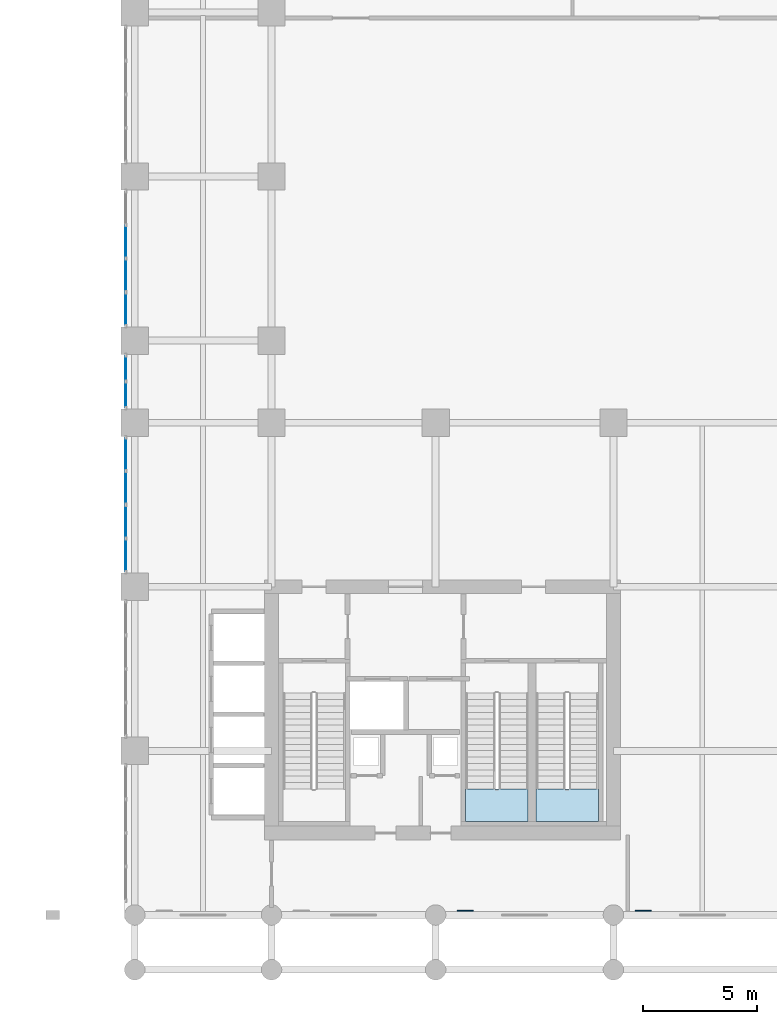
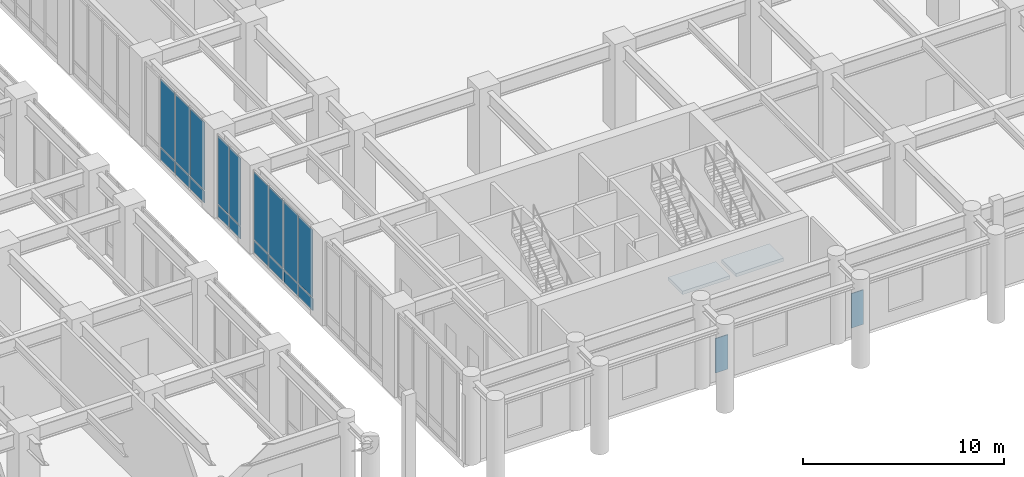
# One storey, part 11 of 23: 20 plates, 2 slabs, 5 elements without a shape of their own.
"""IFC4 building model written with IfcOpenShell, lengths in metres."""

from ifc_helpers import new_model, si_unit, derived_unit, direction, frame, origin, origin_2d, place, context, subcontext, project, spatial, polyline, rectangle, outline, extrude, source, transform, mapped, material, layer, layer_set, type_object, type_shapes, element, aggregate, save


model = new_model("IFC4")

# Units and contexts
model_context = context("Model", 3, precision=1e-05, world=origin(), true_north=direction((0.0, 1.0)))
body_context = subcontext(model_context, "Body", "Model", "MODEL_VIEW")
ifc_project = project(units=[si_unit("LENGTHUNIT", "METRE"), si_unit("AREAUNIT", "SQUARE_METRE"), si_unit("VOLUMEUNIT", "CUBIC_METRE"), si_unit("PLANEANGLEUNIT", "RADIAN"), si_unit("MASSUNIT", "GRAM", prefix="KILO"), si_unit("THERMODYNAMICTEMPERATUREUNIT", "KELVIN"), si_unit("POWERUNIT", "WATT"), derived_unit("THERMALTRANSMITTANCEUNIT", [(si_unit("POWERUNIT", "WATT"), 1), (si_unit("AREAUNIT", "SQUARE_METRE"), -1), (si_unit("THERMODYNAMICTEMPERATUREUNIT", "KELVIN"), -1)])], contexts=[model_context])

# Site, building, storey
site_placement = place(None, origin())
site = spatial("IfcSite", under=ifc_project, at=site_placement, CompositionType="ELEMENT")
building_placement = place(site_placement, origin())
building = spatial("IfcBuilding", under=site, at=building_placement, Name="Zahravan Archway Hotel and Residences", CompositionType="ELEMENT")
storey_placement = place(building_placement, frame((0.0, 0.0, 5.39990234375)))
storey = spatial("IfcBuildingStorey", under=building, at=storey_placement, Name="L01", CompositionType="ELEMENT", Elevation=5.39990234375)

# Stair, slab
ifc_material_1 = material(Name="Concrete C50/60", Category="concrete")
stair_type = type_object("IfcStairType", Name="STR-CORE-1300", PredefinedType="HALF_TURN_STAIR", material=ifc_material_1)
stair_1_placement = place(storey_placement, origin())
stair_1 = element("IfcStair", 1, at=stair_1_placement, inside=storey, type_object=stair_type, Name="L01 Core A Exit Stair 2", PredefinedType="HALF_TURN_STAIR")
ifc_layer_1 = layer(ifc_material_1, 0.199951171875, Name="Concrete C50/60", Category="concrete")
ifc_layer_set_1 = layer_set([ifc_layer_1], Name="Concrete C50/60")
slab_type = type_object("IfcSlabType", Name="SLB-LND-200", PredefinedType="LANDING", material=ifc_layer_set_1)
slab_1_placement = place(storey_placement, frame((0.0, 0.0, 2.5)))
slab_1 = element("IfcSlab", 2, at=slab_1_placement, type_object=slab_type, Name="ST-A2 landing 1", PredefinedType="LANDING", context=body_context, shape_type="SweptSolid", body=[
    extrude(outline(polyline([(43.320068359375, 5.530029296875), (43.320068359375, 4.10009765625), (46.06005859375, 4.10009765625), (46.06005859375, 5.530029296875), (43.320068359375, 5.530029296875)])), origin(), (0.0, 0.0, 1.0), 0.2001953125),
])
aggregate(stair_1, [slab_1])

stair_2_placement = place(storey_placement, origin())
stair_2 = element("IfcStair", 3, at=stair_2_placement, inside=storey, type_object=stair_type, Name="L01 Core A Exit Stair 3", PredefinedType="HALF_TURN_STAIR")
slab_2_placement = place(storey_placement, frame((0.0, 0.0, 2.5)))
slab_2 = element("IfcSlab", 4, at=slab_2_placement, type_object=slab_type, Name="ST-A3 landing 1", PredefinedType="LANDING", context=body_context, shape_type="SweptSolid", body=[
    extrude(outline(polyline([(46.39990234375, 5.530029296875), (46.39990234375, 4.10009765625), (49.139892578125, 4.10009765625), (49.139892578125, 5.530029296875), (46.39990234375, 5.530029296875)])), origin(), (0.0, 0.0, 1.0), 0.2001953125),
])
aggregate(stair_2, [slab_2])

# Curtain wall, plates
ifc_material_2 = material(Name="Bronze-Anodized Unitised Aluminium & Low-E Glass", Category="aluminium")
ifc_layer_2 = layer(ifc_material_2, 0.179931640625, Name="Bronze-Anodized Unitised Aluminium & Low-E Glass", Category="aluminium")
ifc_layer_set_2 = layer_set([ifc_layer_2], Name="Bronze-Anodized Unitised Aluminium & Low-E Glass")
curtain_wall_type = type_object("IfcCurtainWallType", Name="CW-POD-ARCH", PredefinedType="NOTDEFINED", material=ifc_layer_set_2)
curtain_wall_1_placement = place(storey_placement, origin())
curtain_wall_1 = element("IfcCurtainWall", 5, at=curtain_wall_1_placement, inside=storey, type_object=curtain_wall_type, Name="L01 Curtain Wall CW-PORTE-L01-3", PredefinedType="NOTDEFINED")
ifc_material_3 = material(Name="Insulated Terracotta Spandrel Panel", Category="masonry")
ifc_layer_3 = layer(ifc_material_3, 0.0400390625, Name="Insulated Terracotta Spandrel Panel", Category="masonry")
ifc_layer_set_3 = layer_set([ifc_layer_3], Name="Insulated Terracotta Spandrel Panel")
plate_type_1 = type_object("IfcPlateType", Name="CWP-SPN-40", PredefinedType="SHEET", material=ifc_layer_set_3)
shared_shape_1 = source(origin(), body_context, "Body", "SweptSolid", [
    extrude(rectangle(XDim=1.3974609375, YDim=0.0400390625, at=origin_2d()), origin(), (0.0, 0.0, 1.0), 0.7099609375),
])
plate_1_placement = place(storey_placement, frame((28.39990234375, 15.783935546875, 0.10009765625), z_axis=(0.0, 0.0, 1.0), x_axis=(0.0, 1.0, 0.0)))
plate_1 = element("IfcPlate", 6, at=plate_1_placement, type_object=plate_type_1, Name="CW-PORTE-L01-3 Spandrel Panel 0", PredefinedType="SHEET", context=body_context, shape_type="MappedRepresentation", body=[
    mapped(shared_shape_1, transform((0.0, 0.0, 0.0), scale=1.0)),
])
plate_2_placement = place(storey_placement, frame((28.39990234375, 17.26123046875, 0.10009765625), z_axis=(0.0, 0.0, 1.0), x_axis=(0.0, 1.0, 0.0)))
plate_2 = element("IfcPlate", 7, at=plate_2_placement, type_object=plate_type_1, Name="CW-PORTE-L01-3 Spandrel Panel 1", PredefinedType="SHEET", context=body_context, shape_type="MappedRepresentation", body=[
    mapped(shared_shape_1, transform((0.0, 0.0, 0.0), scale=1.0)),
])
plate_3_placement = place(storey_placement, frame((28.39990234375, 18.73876953125, 0.10009765625), z_axis=(0.0, 0.0, 1.0), x_axis=(0.0, 1.0, 0.0)))
plate_3 = element("IfcPlate", 8, at=plate_3_placement, type_object=plate_type_1, Name="CW-PORTE-L01-3 Spandrel Panel 2", PredefinedType="SHEET", context=body_context, shape_type="MappedRepresentation", body=[
    mapped(shared_shape_1, transform((0.0, 0.0, 0.0), scale=1.0)),
])
plate_4_placement = place(storey_placement, frame((28.39990234375, 20.216064453125, 0.10009765625), z_axis=(0.0, 0.0, 1.0), x_axis=(0.0, 1.0, 0.0)))
plate_4 = element("IfcPlate", 9, at=plate_4_placement, type_object=plate_type_1, Name="CW-PORTE-L01-3 Spandrel Panel 3", PredefinedType="SHEET", context=body_context, shape_type="MappedRepresentation", body=[
    mapped(shared_shape_1, transform((0.0, 0.0, 0.0), scale=1.0)),
])

curtain_wall_2_placement = place(storey_placement, origin())
curtain_wall_2 = element("IfcCurtainWall", 10, at=curtain_wall_2_placement, inside=storey, type_object=curtain_wall_type, Name="L01 Curtain Wall CW-PORTE-L01-5", PredefinedType="NOTDEFINED")
plate_5_placement = place(storey_placement, frame((28.39990234375, 26.583984375, 0.10009765625), z_axis=(0.0, 0.0, 1.0), x_axis=(0.0, 1.0, 0.0)))
plate_5 = element("IfcPlate", 11, at=plate_5_placement, type_object=plate_type_1, Name="CW-PORTE-L01-5 Spandrel Panel 0", PredefinedType="SHEET", context=body_context, shape_type="MappedRepresentation", body=[
    mapped(shared_shape_1, transform((0.0, 0.0, 0.0), scale=1.0)),
])
plate_6_placement = place(storey_placement, frame((28.39990234375, 28.061279296875, 0.10009765625), z_axis=(0.0, 0.0, 1.0), x_axis=(0.0, 1.0, 0.0)))
plate_6 = element("IfcPlate", 12, at=plate_6_placement, type_object=plate_type_1, Name="CW-PORTE-L01-5 Spandrel Panel 1", PredefinedType="SHEET", context=body_context, shape_type="MappedRepresentation", body=[
    mapped(shared_shape_1, transform((0.0, 0.0, 0.0), scale=1.0)),
])
plate_7_placement = place(storey_placement, frame((28.39990234375, 29.538818359375, 0.10009765625), z_axis=(0.0, 0.0, 1.0), x_axis=(0.0, 1.0, 0.0)))
plate_7 = element("IfcPlate", 13, at=plate_7_placement, type_object=plate_type_1, Name="CW-PORTE-L01-5 Spandrel Panel 2", PredefinedType="SHEET", context=body_context, shape_type="MappedRepresentation", body=[
    mapped(shared_shape_1, transform((0.0, 0.0, 0.0), scale=1.0)),
])

# Plate
ifc_material_4 = material(Name="Double-Silver Low-E Insulated Vision Glass", Category="glass")
ifc_layer_4 = layer(ifc_material_4, 0.028076171875, Name="Double-Silver Low-E Insulated Vision Glass", Category="glass")
ifc_layer_set_4 = layer_set([ifc_layer_4], Name="Double-Silver Low-E Insulated Vision Glass")
plate_type_2 = type_object("IfcPlateType", Name="CWP-GLZ-28", PredefinedType="CURTAIN_PANEL", material=ifc_layer_set_4)
shared_shape_2 = source(origin(), body_context, "Body", "SweptSolid", [
    extrude(rectangle(XDim=1.3974609375, YDim=0.028076171875, at=origin_2d()), origin(), (0.0, 0.0, 1.0), 4.110107421875),
])
plate_8_placement = place(storey_placement, frame((28.39990234375, 15.783935546875, 0.89013671875), z_axis=(0.0, 0.0, 1.0), x_axis=(0.0, 1.0, 0.0)))
plate_8 = element("IfcPlate", 14, at=plate_8_placement, type_object=plate_type_2, Name="CW-PORTE-L01-3 Low-E Vision Panel 0", PredefinedType="CURTAIN_PANEL", context=body_context, shape_type="MappedRepresentation", body=[
    mapped(shared_shape_2, transform((0.0, 0.0, 0.0), scale=1.0)),
])

plate_9_placement = place(storey_placement, frame((28.39990234375, 17.26123046875, 0.89013671875), z_axis=(0.0, 0.0, 1.0), x_axis=(0.0, 1.0, 0.0)))
plate_9 = element("IfcPlate", 15, at=plate_9_placement, type_object=plate_type_2, Name="CW-PORTE-L01-3 Low-E Vision Panel 1", PredefinedType="CURTAIN_PANEL", context=body_context, shape_type="MappedRepresentation", body=[
    mapped(shared_shape_2, transform((0.0, 0.0, 0.0), scale=1.0)),
])

plate_10_placement = place(storey_placement, frame((28.39990234375, 18.73876953125, 0.89013671875), z_axis=(0.0, 0.0, 1.0), x_axis=(0.0, 1.0, 0.0)))
plate_10 = element("IfcPlate", 16, at=plate_10_placement, type_object=plate_type_2, Name="CW-PORTE-L01-3 Low-E Vision Panel 2", PredefinedType="CURTAIN_PANEL", context=body_context, shape_type="MappedRepresentation", body=[
    mapped(shared_shape_2, transform((0.0, 0.0, 0.0), scale=1.0)),
])

plate_11_placement = place(storey_placement, frame((28.39990234375, 20.216064453125, 0.89013671875), z_axis=(0.0, 0.0, 1.0), x_axis=(0.0, 1.0, 0.0)))
plate_11 = element("IfcPlate", 17, at=plate_11_placement, type_object=plate_type_2, Name="CW-PORTE-L01-3 Low-E Vision Panel 3", PredefinedType="CURTAIN_PANEL", context=body_context, shape_type="MappedRepresentation", body=[
    mapped(shared_shape_2, transform((0.0, 0.0, 0.0), scale=1.0)),
])

aggregate(curtain_wall_1, [plate_1, plate_8, plate_2, plate_9, plate_3, plate_10, plate_4, plate_11])

plate_12_placement = place(storey_placement, frame((28.39990234375, 26.583984375, 0.89013671875), z_axis=(0.0, 0.0, 1.0), x_axis=(0.0, 1.0, 0.0)))
plate_12 = element("IfcPlate", 18, at=plate_12_placement, type_object=plate_type_2, Name="CW-PORTE-L01-5 Low-E Vision Panel 0", PredefinedType="CURTAIN_PANEL", context=body_context, shape_type="MappedRepresentation", body=[
    mapped(shared_shape_2, transform((0.0, 0.0, 0.0), scale=1.0)),
])

plate_13_placement = place(storey_placement, frame((28.39990234375, 28.061279296875, 0.89013671875), z_axis=(0.0, 0.0, 1.0), x_axis=(0.0, 1.0, 0.0)))
plate_13 = element("IfcPlate", 19, at=plate_13_placement, type_object=plate_type_2, Name="CW-PORTE-L01-5 Low-E Vision Panel 1", PredefinedType="CURTAIN_PANEL", context=body_context, shape_type="MappedRepresentation", body=[
    mapped(shared_shape_2, transform((0.0, 0.0, 0.0), scale=1.0)),
])

plate_14_placement = place(storey_placement, frame((28.39990234375, 29.538818359375, 0.89013671875), z_axis=(0.0, 0.0, 1.0), x_axis=(0.0, 1.0, 0.0)))
plate_14 = element("IfcPlate", 20, at=plate_14_placement, type_object=plate_type_2, Name="CW-PORTE-L01-5 Low-E Vision Panel 2", PredefinedType="CURTAIN_PANEL", context=body_context, shape_type="MappedRepresentation", body=[
    mapped(shared_shape_2, transform((0.0, 0.0, 0.0), scale=1.0)),
])

aggregate(curtain_wall_2, [plate_5, plate_12, plate_6, plate_13, plate_7, plate_14])

# Curtain wall, plates
curtain_wall_3_placement = place(storey_placement, origin())
curtain_wall_3 = element("IfcCurtainWall", 21, at=curtain_wall_3_placement, inside=storey, type_object=curtain_wall_type, Name="L01 Curtain Wall CW-PORTE-L01-4", PredefinedType="NOTDEFINED")
shared_shape_3 = source(origin(), body_context, "Body", "SweptSolid", [
    extrude(rectangle(XDim=1.07470703125, YDim=0.0400390625, at=origin_2d()), origin(), (0.0, 0.0, 1.0), 0.7099609375),
])
plate_15_placement = place(storey_placement, frame((28.39990234375, 22.822509765625, 0.10009765625), z_axis=(0.0, 0.0, 1.0), x_axis=(0.0, 1.0, 0.0)))
plate_15 = element("IfcPlate", 22, at=plate_15_placement, type_object=plate_type_1, Name="CW-PORTE-L01-4 Spandrel Panel 0", PredefinedType="SHEET", context=body_context, shape_type="MappedRepresentation", body=[
    mapped(shared_shape_3, transform((0.0, 0.0, 0.0), scale=1.0)),
])
plate_16_placement = place(storey_placement, frame((28.39990234375, 23.977294921875, 0.10009765625), z_axis=(0.0, 0.0, 1.0), x_axis=(0.0, 1.0, 0.0)))
plate_16 = element("IfcPlate", 23, at=plate_16_placement, type_object=plate_type_1, Name="CW-PORTE-L01-4 Spandrel Panel 1", PredefinedType="SHEET", context=body_context, shape_type="MappedRepresentation", body=[
    mapped(shared_shape_3, transform((0.0, 0.0, 0.0), scale=1.0)),
])
shared_shape_4 = source(origin(), body_context, "Body", "SweptSolid", [
    extrude(rectangle(XDim=1.07470703125, YDim=0.028076171875, at=origin_2d()), origin(), (0.0, 0.0, 1.0), 4.110107421875),
])
plate_17_placement = place(storey_placement, frame((28.39990234375, 22.822509765625, 0.89013671875), z_axis=(0.0, 0.0, 1.0), x_axis=(0.0, 1.0, 0.0)))
plate_17 = element("IfcPlate", 24, at=plate_17_placement, type_object=plate_type_2, Name="CW-PORTE-L01-4 Low-E Vision Panel 0", PredefinedType="CURTAIN_PANEL", context=body_context, shape_type="MappedRepresentation", body=[
    mapped(shared_shape_4, transform((0.0, 0.0, 0.0), scale=1.0)),
])
plate_18_placement = place(storey_placement, frame((28.39990234375, 23.977294921875, 0.89013671875), z_axis=(0.0, 0.0, 1.0), x_axis=(0.0, 1.0, 0.0)))
plate_18 = element("IfcPlate", 25, at=plate_18_placement, type_object=plate_type_2, Name="CW-PORTE-L01-4 Low-E Vision Panel 1", PredefinedType="CURTAIN_PANEL", context=body_context, shape_type="MappedRepresentation", body=[
    mapped(shared_shape_4, transform((0.0, 0.0, 0.0), scale=1.0)),
])
aggregate(curtain_wall_3, [plate_15, plate_17, plate_16, plate_18])

# Plates
ifc_material_5 = material(Name="Perforated Cast Bronze Jali Lattice")
ifc_layer_5 = layer(ifc_material_5, 0.044921875, Name="Perforated Cast Bronze Jali Lattice")
ifc_layer_set_5 = layer_set([ifc_layer_5], Name="Perforated Cast Bronze Jali Lattice")
plate_type_3 = type_object("IfcPlateType", Name="PLT-JALI-BAY", PredefinedType="USERDEFINED", material=ifc_layer_set_5)
shared_shape_5 = source(origin(), body_context, "Body", "SweptSolid", [
    extrude(rectangle(XDim=0.699951171875, YDim=0.044921875, at=origin_2d()), origin(), (0.0, 0.0, 1.0), 2.10009765625),
])
type_shapes(plate_type_3, [shared_shape_5])
for number, where, z_axis, x_axis, name in (
    (26, (43.300048828125, 0.177978515625, 0.25), (0.0, 0.0, 1.0), (1.0, 0.0, 0.0), "L01 Podium Mughal Jali Pier Screen 05"),
    (27, (51.10009765625, 0.177978515625, 0.25), (0.0, 0.0, 1.0), (1.0, 0.0, 0.0), "L01 Podium Mughal Jali Pier Screen 06"),
):
    element("IfcPlate", number, at=place(storey_placement, frame(where, z_axis=z_axis, x_axis=x_axis)), inside=storey, type_object=plate_type_3, Name=name, ObjectType="SCREEN", PredefinedType="USERDEFINED", context=body_context, shape_type="MappedRepresentation", body=[
        mapped(shared_shape_5, transform((0.0, 0.0, 0.0), scale=1.0)),
    ])

save(model, "model.ifc")
